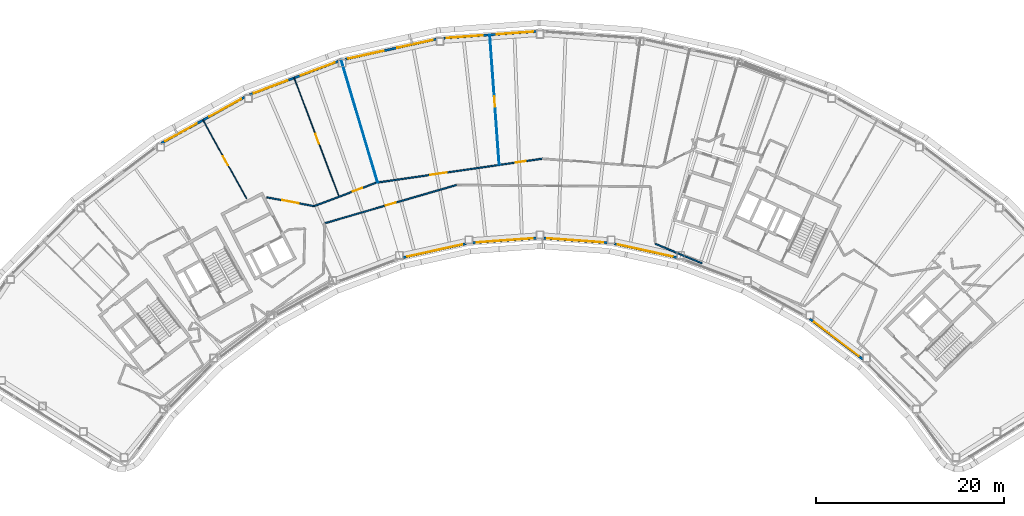
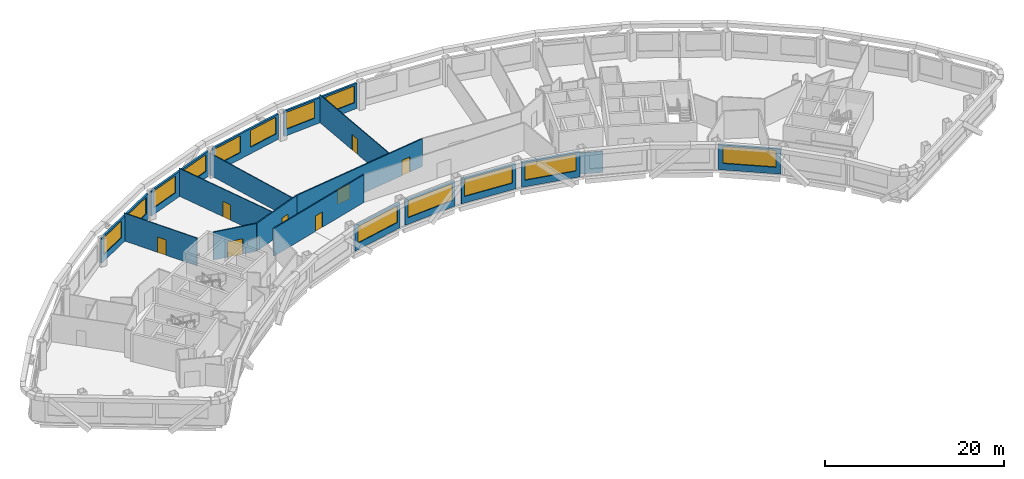
# One storey, part 7 of 18: 18 walls, 13 windows, 8 doors, 21 openings.
"""IFC4 building model written with IfcOpenShell, lengths in metres."""

from ifc_helpers import new_model, si_unit, direction, frame, frame_2d, origin, place, context, subcontext, project, spatial, rectangle, extrude, material, layer, layer_set, type_object, element, fill, save


model = new_model("IFC4")

# Units and contexts
model_context = context("Model", 3, precision=1e-05, world=origin(), true_north=direction((0.0, 1.0)))
body_context = subcontext(model_context, "Body", "Model", "MODEL_VIEW")
ifc_project = project(units=[si_unit("LENGTHUNIT", "METRE"), si_unit("AREAUNIT", "SQUARE_METRE"), si_unit("VOLUMEUNIT", "CUBIC_METRE"), si_unit("PLANEANGLEUNIT", "RADIAN"), si_unit("MASSUNIT", "GRAM", prefix="KILO")], contexts=[model_context])

# Site, building, storey
site_placement = place(None, origin())
site = spatial("IfcSite", under=ifc_project, at=site_placement, CompositionType="ELEMENT")
building_placement = place(site_placement, origin())
building = spatial("IfcBuilding", under=site, at=building_placement, Name="Tuul Gate Civic Tower", CompositionType="ELEMENT")
storey_placement = place(building_placement, frame((0.0, 0.0, 234.699951171875)))
storey = spatial("IfcBuildingStorey", under=building, at=storey_placement, Name="Level 53", CompositionType="ELEMENT", Elevation=234.699951171875)

# Wall, openings, doors
ifc_material_1 = material(Name="Gypsum board partition")
ifc_layer_1 = layer(ifc_material_1, 0.14990234375)
ifc_layer_set_1 = layer_set([ifc_layer_1], Name="Gypsum board partition")
wall_type_1 = type_object("IfcWallType", Name="Corridor wall P150", PredefinedType="PARTITIONING", material=ifc_layer_set_1)
wall_1_placement = place(storey_placement, frame((-11.525390625, 2.749267578125, 0.0), z_axis=(0.0, 0.0, 1.0), x_axis=(0.989707043148, 0.143108241356, 0.0)))
wall_1 = element("IfcWall", 1, at=wall_1_placement, inside=storey, type_object=wall_type_1, Name="p040", PredefinedType="PARTITIONING", context=body_context, shape_type="SweptSolid", body=[
    extrude(rectangle(XDim=17.909423828125, YDim=0.14990234375, at=frame_2d((8.95458984375, 0.0))), origin(), (0.0, 0.0, 1.0), 3.800048828125),
])
opening_1_placement = place(wall_1_placement, frame((5.81640625, 0.0, 0.0)))
opening_1 = element("IfcOpeningElement", 2, at=opening_1_placement, cuts=wall_1, Name="Opening S-D08", PredefinedType="OPENING", context=body_context, shape_type="SweptSolid", body=[
    extrude(rectangle(XDim=1.800048828125, YDim=2.10009765625, at=frame_2d((0.89990234375, 1.050048828125))), frame((0.0, 0.0849609375, 0.0), z_axis=(0.0, -1.0, 0.0), x_axis=(1.0, 0.0, 0.0)), (0.0, 0.0, 1.0), 0.169921875),
])
opening_2_placement = place(wall_1_placement, frame((15.033203125, 0.0, 0.0)))
opening_2 = element("IfcOpeningElement", 3, at=opening_2_placement, cuts=wall_1, Name="Opening S-D23", PredefinedType="OPENING", context=body_context, shape_type="SweptSolid", body=[
    extrude(rectangle(XDim=1.10009765625, YDim=2.10009765625, at=frame_2d((0.550048828125, 1.050048828125))), frame((0.0, 0.0849609375, 0.0), z_axis=(0.0, -1.0, 0.0), x_axis=(1.0, 0.0, 0.0)), (0.0, 0.0, 1.0), 0.169921875),
])
ifc_material_2 = material(Name="Timber door leaf", Category="wood")
door_type_1 = type_object("IfcDoorType", Name="Door D11", OperationType="NOTDEFINED", PredefinedType="DOOR", material=ifc_material_2)
door_1_placement = place(opening_2_placement, origin())
door_1 = element("IfcDoor", 4, at=door_1_placement, inside=storey, type_object=door_type_1, Name="Door S-D23", OperationType="SINGLE_SWING_RIGHT", OverallHeight=2.10009765625, OverallWidth=1.10009765625, PredefinedType="DOOR", context=body_context, shape_type="SweptSolid", body=[
    extrude(rectangle(XDim=1.10009765625, YDim=2.10009765625, at=frame_2d((0.550048828125, 1.050048828125))), frame((0.0, 0.02490234375, 0.0), z_axis=(0.0, -1.0, 0.0), x_axis=(1.0, 0.0, 0.0)), (0.0, 0.0, 1.0), 0.050048828125),
])
fill(opening_2, door_1)
ifc_material_3 = material(Name="Timber door leaf, double", Category="wood")
door_type_2 = type_object("IfcDoorType", Name="Door D18", OperationType="DOUBLE_DOOR_SINGLE_SWING", PredefinedType="DOOR", material=ifc_material_3)
door_2_placement = place(opening_1_placement, origin())
door_2 = element("IfcDoor", 5, at=door_2_placement, inside=storey, type_object=door_type_2, Name="Door S-D08", OperationType="DOUBLE_DOOR_SINGLE_SWING", OverallHeight=2.10009765625, OverallWidth=1.800048828125, PredefinedType="DOOR", context=body_context, shape_type="SweptSolid", body=[
    extrude(rectangle(XDim=1.800048828125, YDim=2.10009765625, at=frame_2d((0.89990234375, 1.050048828125))), frame((0.0, 0.02490234375, 0.0), z_axis=(0.0, -1.0, 0.0), x_axis=(1.0, 0.0, 0.0)), (0.0, 0.0, 1.0), 0.050048828125),
])
fill(opening_1, door_2)

# Wall, opening, door
wall_2_placement = place(storey_placement, frame((-18.113525390625, 0.258056640625, 0.0), z_axis=(0.0, 0.0, 1.0), x_axis=(0.935353854347, 0.353713396918, 0.0)))
wall_2 = element("IfcWall", 6, at=wall_2_placement, inside=storey, type_object=wall_type_1, Name="p043", PredefinedType="PARTITIONING", context=body_context, shape_type="SweptSolid", body=[
    extrude(rectangle(XDim=7.041748046875, YDim=0.14990234375, at=frame_2d((3.52099609375, 0.0))), origin(), (0.0, 0.0, 1.0), 3.800048828125),
])
opening_3_placement = place(wall_2_placement, frame((4.388671875, 0.0, 0.0)))
opening_3 = element("IfcOpeningElement", 7, at=opening_3_placement, cuts=wall_2, Name="Opening S-D09", PredefinedType="OPENING", context=body_context, shape_type="SweptSolid", body=[
    extrude(rectangle(XDim=1.10009765625, YDim=2.10009765625, at=frame_2d((0.550048828125, 1.050048828125))), frame((0.0, 0.0849609375, 0.0), z_axis=(0.0, -1.0, 0.0), x_axis=(1.0, 0.0, 0.0)), (0.0, 0.0, 1.0), 0.169921875),
])
door_3_placement = place(opening_3_placement, origin())
door_3 = element("IfcDoor", 8, at=door_3_placement, inside=storey, type_object=door_type_1, Name="Door S-D09", OperationType="SINGLE_SWING_RIGHT", OverallHeight=2.10009765625, OverallWidth=1.10009765625, PredefinedType="DOOR", context=body_context, shape_type="SweptSolid", body=[
    extrude(rectangle(XDim=1.10009765625, YDim=2.10009765625, at=frame_2d((0.550048828125, 1.050048828125))), frame((0.0, 0.02490234375, 0.0), z_axis=(0.0, -1.0, 0.0), x_axis=(1.0, 0.0, 0.0)), (0.0, 0.0, 1.0), 0.050048828125),
])
fill(opening_3, door_3)

wall_3_placement = place(storey_placement, frame((-23.155517578125, 1.194580078125, 0.0), z_axis=(0.0, 0.0, 1.0), x_axis=(0.983087364007, -0.183137201926, 0.0)))
wall_3 = element("IfcWall", 9, at=wall_3_placement, inside=storey, type_object=wall_type_1, Name="p045", PredefinedType="PARTITIONING", context=body_context, shape_type="SweptSolid", body=[
    extrude(rectangle(XDim=5.121826171875, YDim=0.14990234375, at=frame_2d((2.56103515625, 0.0))), origin(), (0.0, 0.0, 1.0), 3.800048828125),
])
opening_4_placement = place(wall_3_placement, frame((1.660888671875, 0.0, 0.0)))
opening_4 = element("IfcOpeningElement", 10, at=opening_4_placement, cuts=wall_3, Name="Opening S-D10", PredefinedType="OPENING", context=body_context, shape_type="SweptSolid", body=[
    extrude(rectangle(XDim=1.800048828125, YDim=2.10009765625, at=frame_2d((0.89990234375, 1.050048828125))), frame((0.0, 0.0849609375, 0.0), z_axis=(0.0, -1.0, 0.0), x_axis=(1.0, 0.0, 0.0)), (0.0, 0.0, 1.0), 0.169921875),
])
door_4_placement = place(opening_4_placement, origin())
door_4 = element("IfcDoor", 11, at=door_4_placement, inside=storey, type_object=door_type_2, Name="Door S-D10", OperationType="DOUBLE_DOOR_SINGLE_SWING", OverallHeight=2.10009765625, OverallWidth=1.800048828125, PredefinedType="DOOR", context=body_context, shape_type="SweptSolid", body=[
    extrude(rectangle(XDim=1.800048828125, YDim=2.10009765625, at=frame_2d((0.89990234375, 1.050048828125))), frame((0.0, 0.02490234375, 0.0), z_axis=(0.0, -1.0, 0.0), x_axis=(1.0, 0.0, 0.0)), (0.0, 0.0, 1.0), 0.050048828125),
])
fill(opening_4, door_4)

wall_4_placement = place(storey_placement, frame((-16.977294921875, -1.55859375, 0.0), z_axis=(0.0, 0.0, 1.0), x_axis=(0.960321509801, 0.278895316944, 0.0)))
wall_4 = element("IfcWall", 12, at=wall_4_placement, inside=storey, type_object=wall_type_1, Name="p069", PredefinedType="PARTITIONING", context=body_context, shape_type="SweptSolid", body=[
    extrude(rectangle(XDim=14.5908203125, YDim=0.14990234375, at=frame_2d((7.29541015625, 0.0))), origin(), (0.0, 0.0, 1.0), 3.800048828125),
])
opening_5_placement = place(wall_4_placement, frame((6.745361328125, 0.0, 0.0)))
opening_5 = element("IfcOpeningElement", 13, at=opening_5_placement, cuts=wall_4, Name="Opening S-D29", PredefinedType="OPENING", context=body_context, shape_type="SweptSolid", body=[
    extrude(rectangle(XDim=1.10009765625, YDim=2.10009765625, at=frame_2d((0.550048828125, 1.050048828125))), frame((0.0, 0.0849609375, 0.0), z_axis=(0.0, -1.0, 0.0), x_axis=(1.0, 0.0, 0.0)), (0.0, 0.0, 1.0), 0.169921875),
])
door_5_placement = place(opening_5_placement, frame((1.10009765625, 0.0, 0.0), z_axis=(0.0, 0.0, 1.0), x_axis=(-1.0, 0.0, 0.0)))
door_5 = element("IfcDoor", 14, at=door_5_placement, inside=storey, type_object=door_type_1, Name="Door S-D29", OperationType="SINGLE_SWING_LEFT", OverallHeight=2.10009765625, OverallWidth=1.10009765625, PredefinedType="DOOR", context=body_context, shape_type="SweptSolid", body=[
    extrude(rectangle(XDim=1.10009765625, YDim=2.10009765625, at=frame_2d((0.550048828125, 1.050048828125))), frame((0.0, 0.02490234375, 0.0), z_axis=(0.0, -1.0, 0.0), x_axis=(1.0, 0.0, 0.0)), (0.0, 0.0, 1.0), 0.050048828125),
])
fill(opening_5, door_5)

# Wall
ifc_material_4 = material(Name="Gypsum board partition")
ifc_layer_2 = layer(ifc_material_4, 0.14990234375)
ifc_layer_set_2 = layer_set([ifc_layer_2], Name="Gypsum board partition")
wall_type_2 = type_object("IfcWallType", Name="Corridor wall P150 2900 HIGH", PredefinedType="PARTITIONING", material=ifc_layer_set_2)
wall_5_placement = place(storey_placement, frame((18.22021484375, -3.760986328125, 0.0), z_axis=(0.0, 0.0, 1.0), x_axis=(0.923300574367, -0.38407818133, 0.0)))
element("IfcWall", 15, at=wall_5_placement, inside=storey, type_object=wall_type_2, Name="p062", PredefinedType="PARTITIONING", context=body_context, shape_type="SweptSolid", body=[
    extrude(rectangle(XDim=5.3896484375, YDim=0.14990234375, at=frame_2d((2.69482421875, 0.0))), origin(), (0.0, 0.0, 1.0), 2.900146484375),
])

# Wall, openings, windows
ifc_material_5 = material(Name="Precast concrete C40/50", Category="concrete")
ifc_layer_3 = layer(ifc_material_5, 0.25)
ifc_layer_set_3 = layer_set([ifc_layer_3], Name="Precast concrete C40/50")
wall_type_3 = type_object("IfcWallType", Name="External wall", PredefinedType="STANDARD", material=ifc_layer_set_3)
wall_6_placement = place(storey_placement, frame((5.5400390625, 18.862548828125, 0.0), z_axis=(0.0, 0.0, 1.0), x_axis=(-0.997382341931, -0.072308118528, 0.0)))
wall_6 = element("IfcWall", 16, at=wall_6_placement, inside=storey, type_object=wall_type_3, Name="External wall", PredefinedType="STANDARD", context=body_context, shape_type="SweptSolid", body=[
    extrude(rectangle(XDim=9.8759765625, YDim=0.25, at=frame_2d((4.93798828125, 0.0))), origin(), (0.0, 0.0, 1.0), 3.449951171875),
])
opening_6_placement = place(wall_6_placement, frame((0.3505859375, 0.0, 0.89990234375)))
opening_6 = element("IfcOpeningElement", 17, at=opening_6_placement, cuts=wall_6, Name="Opening W22", PredefinedType="OPENING", context=body_context, shape_type="SweptSolid", body=[
    extrude(rectangle(XDim=3.85009765625, YDim=2.300048828125, at=frame_2d((1.925048828125, 1.14990234375))), frame((0.0, 0.135009765625, 0.0), z_axis=(0.0, -1.0, 0.0), x_axis=(1.0, 0.0, 0.0)), (0.0, 0.0, 1.0), 0.27001953125),
])
opening_7_placement = place(wall_6_placement, frame((5.72216796875, 0.0, 0.89990234375)))
opening_7 = element("IfcOpeningElement", 18, at=opening_7_placement, cuts=wall_6, Name="Opening W22", PredefinedType="OPENING", context=body_context, shape_type="SweptSolid", body=[
    extrude(rectangle(XDim=3.85009765625, YDim=2.300048828125, at=frame_2d((1.925048828125, 1.14990234375))), frame((0.0, 0.135009765625, 0.0), z_axis=(0.0, -1.0, 0.0), x_axis=(1.0, 0.0, 0.0)), (0.0, 0.0, 1.0), 0.27001953125),
])
ifc_material_6 = material(Name="Glass", Category="glass")
window_type_1 = type_object("IfcWindowType", Name="Window W22 3850 x 2300", PartitioningType="SINGLE_PANEL", PredefinedType="WINDOW", material=ifc_material_6)
window_1_placement = place(opening_6_placement, origin())
window_1 = element("IfcWindow", 19, at=window_1_placement, inside=storey, type_object=window_type_1, Name="Window", OverallHeight=2.300048828125, OverallWidth=3.85009765625, PartitioningType="SINGLE_PANEL", PredefinedType="WINDOW", context=body_context, shape_type="SweptSolid", body=[
    extrude(rectangle(XDim=3.85009765625, YDim=2.300048828125, at=frame_2d((1.925048828125, 1.14990234375))), frame((0.0, 0.030029296875, 0.0), z_axis=(0.0, -1.0, 0.0), x_axis=(1.0, 0.0, 0.0)), (0.0, 0.0, 1.0), 0.06005859375),
])
fill(opening_6, window_1)
window_2_placement = place(opening_7_placement, origin())
window_2 = element("IfcWindow", 20, at=window_2_placement, inside=storey, type_object=window_type_1, Name="Window", OverallHeight=2.300048828125, OverallWidth=3.85009765625, PartitioningType="SINGLE_PANEL", PredefinedType="WINDOW", context=body_context, shape_type="SweptSolid", body=[
    extrude(rectangle(XDim=3.85009765625, YDim=2.300048828125, at=frame_2d((1.925048828125, 1.14990234375))), frame((0.0, 0.030029296875, 0.0), z_axis=(0.0, -1.0, 0.0), x_axis=(1.0, 0.0, 0.0)), (0.0, 0.0, 1.0), 0.06005859375),
])
fill(opening_7, window_2)

wall_7_placement = place(storey_placement, frame((-5.110107421875, 18.0380859375, 0.0), z_axis=(0.0, 0.0, 1.0), x_axis=(-0.976567609669, -0.215210835566, 0.0)))
wall_7 = element("IfcWall", 21, at=wall_7_placement, inside=storey, type_object=wall_type_3, Name="External wall", PredefinedType="STANDARD", context=body_context, shape_type="SweptSolid", body=[
    extrude(rectangle(XDim=9.953369140625, YDim=0.25, at=frame_2d((4.9765625, 0.0))), origin(), (0.0, 0.0, 1.0), 3.449951171875),
])
opening_8_placement = place(wall_7_placement, frame((0.39013671875, 0.0, 0.89990234375)))
opening_8 = element("IfcOpeningElement", 22, at=opening_8_placement, cuts=wall_7, Name="Opening W22", PredefinedType="OPENING", context=body_context, shape_type="SweptSolid", body=[
    extrude(rectangle(XDim=3.85009765625, YDim=2.300048828125, at=frame_2d((1.925048828125, 1.14990234375))), frame((0.0, 0.135009765625, 0.0), z_axis=(0.0, -1.0, 0.0), x_axis=(1.0, 0.0, 0.0)), (0.0, 0.0, 1.0), 0.27001953125),
])
opening_9_placement = place(wall_7_placement, frame((5.761474609375, 0.0, 0.89990234375)))
opening_9 = element("IfcOpeningElement", 23, at=opening_9_placement, cuts=wall_7, Name="Opening W22", PredefinedType="OPENING", context=body_context, shape_type="SweptSolid", body=[
    extrude(rectangle(XDim=3.85009765625, YDim=2.300048828125, at=frame_2d((1.925048828125, 1.14990234375))), frame((0.0, 0.135009765625, 0.0), z_axis=(0.0, -1.0, 0.0), x_axis=(1.0, 0.0, 0.0)), (0.0, 0.0, 1.0), 0.27001953125),
])
window_3_placement = place(opening_8_placement, origin())
window_3 = element("IfcWindow", 24, at=window_3_placement, inside=storey, type_object=window_type_1, Name="Window", OverallHeight=2.300048828125, OverallWidth=3.85009765625, PartitioningType="SINGLE_PANEL", PredefinedType="WINDOW", context=body_context, shape_type="SweptSolid", body=[
    extrude(rectangle(XDim=3.85009765625, YDim=2.300048828125, at=frame_2d((1.925048828125, 1.14990234375))), frame((0.0, 0.030029296875, 0.0), z_axis=(0.0, -1.0, 0.0), x_axis=(1.0, 0.0, 0.0)), (0.0, 0.0, 1.0), 0.06005859375),
])
fill(opening_8, window_3)
window_4_placement = place(opening_9_placement, origin())
window_4 = element("IfcWindow", 25, at=window_4_placement, inside=storey, type_object=window_type_1, Name="Window", OverallHeight=2.300048828125, OverallWidth=3.85009765625, PartitioningType="SINGLE_PANEL", PredefinedType="WINDOW", context=body_context, shape_type="SweptSolid", body=[
    extrude(rectangle(XDim=3.85009765625, YDim=2.300048828125, at=frame_2d((1.925048828125, 1.14990234375))), frame((0.0, 0.030029296875, 0.0), z_axis=(0.0, -1.0, 0.0), x_axis=(1.0, 0.0, 0.0)), (0.0, 0.0, 1.0), 0.06005859375),
])
fill(opening_9, window_4)

wall_8_placement = place(storey_placement, frame((-15.537109375, 15.69189453125, 0.0), z_axis=(0.0, 0.0, 1.0), x_axis=(-0.935373348384, -0.353661842912, 0.0)))
wall_8 = element("IfcWall", 26, at=wall_8_placement, inside=storey, type_object=wall_type_3, Name="External wall", PredefinedType="STANDARD", context=body_context, shape_type="SweptSolid", body=[
    extrude(rectangle(XDim=10.102783203125, YDim=0.25, at=frame_2d((5.05126953125, 0.0))), origin(), (0.0, 0.0, 1.0), 3.449951171875),
])
opening_10_placement = place(wall_8_placement, frame((0.423583984375, 0.0, 0.89990234375)))
opening_10 = element("IfcOpeningElement", 27, at=opening_10_placement, cuts=wall_8, Name="Opening W22", PredefinedType="OPENING", context=body_context, shape_type="SweptSolid", body=[
    extrude(rectangle(XDim=3.85009765625, YDim=2.300048828125, at=frame_2d((1.925048828125, 1.14990234375))), frame((0.0, 0.135009765625, 0.0), z_axis=(0.0, -1.0, 0.0), x_axis=(1.0, 0.0, 0.0)), (0.0, 0.0, 1.0), 0.27001953125),
])
opening_11_placement = place(wall_8_placement, frame((5.794677734375, 0.0, 0.89990234375)))
opening_11 = element("IfcOpeningElement", 28, at=opening_11_placement, cuts=wall_8, Name="Opening W22", PredefinedType="OPENING", context=body_context, shape_type="SweptSolid", body=[
    extrude(rectangle(XDim=3.85009765625, YDim=2.300048828125, at=frame_2d((1.925048828125, 1.14990234375))), frame((0.0, 0.135009765625, 0.0), z_axis=(0.0, -1.0, 0.0), x_axis=(1.0, 0.0, 0.0)), (0.0, 0.0, 1.0), 0.27001953125),
])
window_5_placement = place(opening_10_placement, origin())
window_5 = element("IfcWindow", 29, at=window_5_placement, inside=storey, type_object=window_type_1, Name="Window", OverallHeight=2.300048828125, OverallWidth=3.85009765625, PartitioningType="SINGLE_PANEL", PredefinedType="WINDOW", context=body_context, shape_type="SweptSolid", body=[
    extrude(rectangle(XDim=3.85009765625, YDim=2.300048828125, at=frame_2d((1.925048828125, 1.14990234375))), frame((0.0, 0.030029296875, 0.0), z_axis=(0.0, -1.0, 0.0), x_axis=(1.0, 0.0, 0.0)), (0.0, 0.0, 1.0), 0.06005859375),
])
fill(opening_10, window_5)
window_6_placement = place(opening_11_placement, origin())
window_6 = element("IfcWindow", 30, at=window_6_placement, inside=storey, type_object=window_type_1, Name="Window", OverallHeight=2.300048828125, OverallWidth=3.85009765625, PartitioningType="SINGLE_PANEL", PredefinedType="WINDOW", context=body_context, shape_type="SweptSolid", body=[
    extrude(rectangle(XDim=3.85009765625, YDim=2.300048828125, at=frame_2d((1.925048828125, 1.14990234375))), frame((0.0, 0.030029296875, 0.0), z_axis=(0.0, -1.0, 0.0), x_axis=(1.0, 0.0, 0.0)), (0.0, 0.0, 1.0), 0.06005859375),
])
fill(opening_11, window_6)

wall_9_placement = place(storey_placement, frame((-25.52392578125, 11.86962890625, 0.0), z_axis=(0.0, 0.0, 1.0), x_axis=(-0.87461473964, -0.484818581743, 0.0)))
wall_9 = element("IfcWall", 31, at=wall_9_placement, inside=storey, type_object=wall_type_3, Name="External wall", PredefinedType="STANDARD", context=body_context, shape_type="SweptSolid", body=[
    extrude(rectangle(XDim=10.16162109375, YDim=0.25, at=frame_2d((5.080810546875, 0.0))), origin(), (0.0, 0.0, 1.0), 3.449951171875),
])
opening_12_placement = place(wall_9_placement, frame((0.451171875, 0.0, 0.89990234375)))
opening_12 = element("IfcOpeningElement", 32, at=opening_12_placement, cuts=wall_9, Name="Opening W22", PredefinedType="OPENING", context=body_context, shape_type="SweptSolid", body=[
    extrude(rectangle(XDim=3.85009765625, YDim=2.300048828125, at=frame_2d((1.925048828125, 1.14990234375))), frame((0.0, 0.135009765625, 0.0), z_axis=(0.0, -1.0, 0.0), x_axis=(1.0, 0.0, 0.0)), (0.0, 0.0, 1.0), 0.27001953125),
])
opening_13_placement = place(wall_9_placement, frame((5.822021484375, 0.0, 0.89990234375)))
opening_13 = element("IfcOpeningElement", 33, at=opening_13_placement, cuts=wall_9, Name="Opening W22", PredefinedType="OPENING", context=body_context, shape_type="SweptSolid", body=[
    extrude(rectangle(XDim=3.85009765625, YDim=2.300048828125, at=frame_2d((1.925048828125, 1.14990234375))), frame((0.0, 0.135009765625, 0.0), z_axis=(0.0, -1.0, 0.0), x_axis=(1.0, 0.0, 0.0)), (0.0, 0.0, 1.0), 0.27001953125),
])
window_7_placement = place(opening_12_placement, origin())
window_7 = element("IfcWindow", 34, at=window_7_placement, inside=storey, type_object=window_type_1, Name="Window", OverallHeight=2.300048828125, OverallWidth=3.85009765625, PartitioningType="SINGLE_PANEL", PredefinedType="WINDOW", context=body_context, shape_type="SweptSolid", body=[
    extrude(rectangle(XDim=3.85009765625, YDim=2.300048828125, at=frame_2d((1.925048828125, 1.14990234375))), frame((0.0, 0.030029296875, 0.0), z_axis=(0.0, -1.0, 0.0), x_axis=(1.0, 0.0, 0.0)), (0.0, 0.0, 1.0), 0.06005859375),
])
fill(opening_12, window_7)
window_8_placement = place(opening_13_placement, origin())
window_8 = element("IfcWindow", 35, at=window_8_placement, inside=storey, type_object=window_type_1, Name="Window", OverallHeight=2.300048828125, OverallWidth=3.85009765625, PartitioningType="SINGLE_PANEL", PredefinedType="WINDOW", context=body_context, shape_type="SweptSolid", body=[
    extrude(rectangle(XDim=3.85009765625, YDim=2.300048828125, at=frame_2d((1.925048828125, 1.14990234375))), frame((0.0, 0.030029296875, 0.0), z_axis=(0.0, -1.0, 0.0), x_axis=(1.0, 0.0, 0.0)), (0.0, 0.0, 1.0), 0.06005859375),
])
fill(opening_13, window_8)

# Wall, opening, window
wall_10_placement = place(storey_placement, frame((-8.64599609375, -5.21728515625, 0.0), z_axis=(0.0, 0.0, 1.0), x_axis=(0.976561146318, 0.215240162382, 0.0)))
wall_10 = element("IfcWall", 36, at=wall_10_placement, inside=storey, type_object=wall_type_3, Name="External wall", PredefinedType="STANDARD", context=body_context, shape_type="SweptSolid", body=[
    extrude(rectangle(XDim=6.867919921875, YDim=0.25, at=frame_2d((3.43408203125, 0.0))), origin(), (0.0, 0.0, 1.0), 3.449951171875),
])
opening_14_placement = place(wall_10_placement, frame((0.458251953125, 0.0, 0.89990234375)))
opening_14 = element("IfcOpeningElement", 37, at=opening_14_placement, cuts=wall_10, Name="Opening W26", PredefinedType="OPENING", context=body_context, shape_type="SweptSolid", body=[
    extrude(rectangle(XDim=6.0, YDim=2.300048828125, at=frame_2d((3.0, 1.14990234375))), frame((0.0, 0.135009765625, 0.0), z_axis=(0.0, -1.0, 0.0), x_axis=(1.0, 0.0, 0.0)), (0.0, 0.0, 1.0), 0.27001953125),
])
ifc_material_7 = material(Name="Glass", Category="glass")
window_type_2 = type_object("IfcWindowType", Name="Window W26 6000 x 2300", PartitioningType="SINGLE_PANEL", PredefinedType="WINDOW", material=ifc_material_7)
window_9_placement = place(opening_14_placement, origin())
window_9 = element("IfcWindow", 38, at=window_9_placement, inside=storey, type_object=window_type_2, Name="Window", OverallHeight=2.300048828125, OverallWidth=6.0, PartitioningType="SINGLE_PANEL", PredefinedType="WINDOW", context=body_context, shape_type="SweptSolid", body=[
    extrude(rectangle(XDim=6.0, YDim=2.300048828125, at=frame_2d((3.0, 1.14990234375))), frame((0.0, 0.030029296875, 0.0), z_axis=(0.0, -1.0, 0.0), x_axis=(1.0, 0.0, 0.0)), (0.0, 0.0, 1.0), 0.06005859375),
])
fill(opening_14, window_9)

wall_11_placement = place(storey_placement, frame((-1.23193359375, -3.635498046875, 0.0), z_axis=(0.0, 0.0, 1.0), x_axis=(0.997392566253, 0.07216695077, 0.0)))
wall_11 = element("IfcWall", 39, at=wall_11_placement, inside=storey, type_object=wall_type_3, Name="External wall", PredefinedType="STANDARD", context=body_context, shape_type="SweptSolid", body=[
    extrude(rectangle(XDim=6.789794921875, YDim=0.25, at=frame_2d((3.39501953125, 0.0))), origin(), (0.0, 0.0, 1.0), 3.449951171875),
])
opening_15_placement = place(wall_11_placement, frame((0.41845703125, 0.0, 0.89990234375)))
opening_15 = element("IfcOpeningElement", 40, at=opening_15_placement, cuts=wall_11, Name="Opening W26", PredefinedType="OPENING", context=body_context, shape_type="SweptSolid", body=[
    extrude(rectangle(XDim=6.0, YDim=2.300048828125, at=frame_2d((3.0, 1.14990234375))), frame((0.0, 0.135009765625, 0.0), z_axis=(0.0, -1.0, 0.0), x_axis=(1.0, 0.0, 0.0)), (0.0, 0.0, 1.0), 0.27001953125),
])
window_10_placement = place(opening_15_placement, origin())
window_10 = element("IfcWindow", 41, at=window_10_placement, inside=storey, type_object=window_type_2, Name="Window", OverallHeight=2.300048828125, OverallWidth=6.0, PartitioningType="SINGLE_PANEL", PredefinedType="WINDOW", context=body_context, shape_type="SweptSolid", body=[
    extrude(rectangle(XDim=6.0, YDim=2.300048828125, at=frame_2d((3.0, 1.14990234375))), frame((0.0, 0.030029296875, 0.0), z_axis=(0.0, -1.0, 0.0), x_axis=(1.0, 0.0, 0.0)), (0.0, 0.0, 1.0), 0.06005859375),
])
fill(opening_15, window_10)

wall_12_placement = place(storey_placement, frame((6.340087890625, -3.1455078125, 0.0), z_axis=(0.0, 0.0, 1.0), x_axis=(0.997392566253, -0.07216695077, 0.0)))
wall_12 = element("IfcWall", 42, at=wall_12_placement, inside=storey, type_object=wall_type_3, Name="External wall", PredefinedType="STANDARD", context=body_context, shape_type="SweptSolid", body=[
    extrude(rectangle(XDim=6.789794921875, YDim=0.25, at=frame_2d((3.39501953125, 0.0))), origin(), (0.0, 0.0, 1.0), 3.449951171875),
])
opening_16_placement = place(wall_12_placement, frame((0.371337890625, 0.0, 0.89990234375)))
opening_16 = element("IfcOpeningElement", 43, at=opening_16_placement, cuts=wall_12, Name="Opening W26", PredefinedType="OPENING", context=body_context, shape_type="SweptSolid", body=[
    extrude(rectangle(XDim=6.0, YDim=2.300048828125, at=frame_2d((3.0, 1.14990234375))), frame((0.0, 0.135009765625, 0.0), z_axis=(0.0, -1.0, 0.0), x_axis=(1.0, 0.0, 0.0)), (0.0, 0.0, 1.0), 0.27001953125),
])
window_11_placement = place(opening_16_placement, origin())
window_11 = element("IfcWindow", 44, at=window_11_placement, inside=storey, type_object=window_type_2, Name="Window", OverallHeight=2.300048828125, OverallWidth=6.0, PartitioningType="SINGLE_PANEL", PredefinedType="WINDOW", context=body_context, shape_type="SweptSolid", body=[
    extrude(rectangle(XDim=6.0, YDim=2.300048828125, at=frame_2d((3.0, 1.14990234375))), frame((0.0, 0.030029296875, 0.0), z_axis=(0.0, -1.0, 0.0), x_axis=(1.0, 0.0, 0.0)), (0.0, 0.0, 1.0), 0.06005859375),
])
fill(opening_16, window_11)

wall_13_placement = place(storey_placement, frame((13.819091796875, -3.739013671875, 0.0), z_axis=(0.0, 0.0, 1.0), x_axis=(0.976560383805, -0.21524362193, 0.0)))
wall_13 = element("IfcWall", 45, at=wall_13_placement, inside=storey, type_object=wall_type_3, Name="External wall", PredefinedType="STANDARD", context=body_context, shape_type="SweptSolid", body=[
    extrude(rectangle(XDim=6.86669921875, YDim=0.25, at=frame_2d((3.433349609375, 0.0))), origin(), (0.0, 0.0, 1.0), 3.449951171875),
])
opening_17_placement = place(wall_13_placement, frame((0.409912109375, 0.0, 0.89990234375)))
opening_17 = element("IfcOpeningElement", 46, at=opening_17_placement, cuts=wall_13, Name="Opening W26", PredefinedType="OPENING", context=body_context, shape_type="SweptSolid", body=[
    extrude(rectangle(XDim=6.0, YDim=2.300048828125, at=frame_2d((3.0, 1.14990234375))), frame((0.0, 0.135009765625, 0.0), z_axis=(0.0, -1.0, 0.0), x_axis=(1.0, 0.0, 0.0)), (0.0, 0.0, 1.0), 0.27001953125),
])
window_12_placement = place(opening_17_placement, origin())
window_12 = element("IfcWindow", 47, at=window_12_placement, inside=storey, type_object=window_type_2, Name="Window", OverallHeight=2.300048828125, OverallWidth=6.0, PartitioningType="SINGLE_PANEL", PredefinedType="WINDOW", context=body_context, shape_type="SweptSolid", body=[
    extrude(rectangle(XDim=6.0, YDim=2.300048828125, at=frame_2d((3.0, 1.14990234375))), frame((0.0, 0.030029296875, 0.0), z_axis=(0.0, -1.0, 0.0), x_axis=(1.0, 0.0, 0.0)), (0.0, 0.0, 1.0), 0.06005859375),
])
fill(opening_17, window_12)

wall_14_placement = place(storey_placement, frame((34.656494140625, -11.739013671875, 0.0), z_axis=(0.0, 0.0, 1.0), x_axis=(0.795572181555, -0.605858815184, 0.0)))
wall_14 = element("IfcWall", 48, at=wall_14_placement, inside=storey, type_object=wall_type_3, Name="External wall", PredefinedType="STANDARD", context=body_context, shape_type="SweptSolid", body=[
    extrude(rectangle(XDim=7.10107421875, YDim=0.25, at=frame_2d((3.550537109375, 0.0))), origin(), (0.0, 0.0, 1.0), 3.449951171875),
])
opening_18_placement = place(wall_14_placement, frame((0.561279296875, 0.0, 0.89990234375)))
opening_18 = element("IfcOpeningElement", 49, at=opening_18_placement, cuts=wall_14, Name="Opening W26", PredefinedType="OPENING", context=body_context, shape_type="SweptSolid", body=[
    extrude(rectangle(XDim=6.0, YDim=2.300048828125, at=frame_2d((3.0, 1.14990234375))), frame((0.0, 0.135009765625, 0.0), z_axis=(0.0, -1.0, 0.0), x_axis=(1.0, 0.0, 0.0)), (0.0, 0.0, 1.0), 0.27001953125),
])
window_13_placement = place(opening_18_placement, origin())
window_13 = element("IfcWindow", 50, at=window_13_placement, inside=storey, type_object=window_type_2, Name="Window", OverallHeight=2.300048828125, OverallWidth=6.0, PartitioningType="SINGLE_PANEL", PredefinedType="WINDOW", context=body_context, shape_type="SweptSolid", body=[
    extrude(rectangle(XDim=6.0, YDim=2.300048828125, at=frame_2d((3.0, 1.14990234375))), frame((0.0, 0.030029296875, 0.0), z_axis=(0.0, -1.0, 0.0), x_axis=(1.0, 0.0, 0.0)), (0.0, 0.0, 1.0), 0.06005859375),
])
fill(opening_18, window_13)

# Wall, opening, door
ifc_material_8 = material(Name="Gypsum board partition")
ifc_layer_4 = layer(ifc_material_8, 0.10009765625)
ifc_layer_set_4 = layer_set([ifc_layer_4], Name="Gypsum board partition")
wall_type_4 = type_object("IfcWallType", Name="Partition P100", PredefinedType="PARTITIONING", material=ifc_layer_set_4)
wall_15_placement = place(storey_placement, frame((0.591064453125, 18.5087890625, 0.0), z_axis=(0.0, 0.0, 1.0), x_axis=(0.072248176097, -0.99738668582, 0.0)))
wall_15 = element("IfcWall", 51, at=wall_15_placement, inside=storey, type_object=wall_type_4, Name="p039", PredefinedType="PARTITIONING", context=body_context, shape_type="SweptSolid", body=[
    extrude(rectangle(XDim=13.898681640625, YDim=0.10009765625, at=frame_2d((6.94921875, 0.0))), origin(), (0.0, 0.0, 1.0), 3.800048828125),
])
opening_19_placement = place(wall_15_placement, frame((6.564453125, 0.0, 0.0)))
opening_19 = element("IfcOpeningElement", 52, at=opening_19_placement, cuts=wall_15, Name="Opening S-D24", PredefinedType="OPENING", context=body_context, shape_type="SweptSolid", body=[
    extrude(rectangle(XDim=1.10009765625, YDim=2.10009765625, at=frame_2d((0.550048828125, 1.050048828125))), frame((0.0, 0.06005859375, 0.0), z_axis=(0.0, -1.0, 0.0), x_axis=(1.0, 0.0, 0.0)), (0.0, 0.0, 1.0), 0.1201171875),
])
door_6_placement = place(opening_19_placement, origin())
door_6 = element("IfcDoor", 53, at=door_6_placement, inside=storey, type_object=door_type_1, Name="Door S-D24", OperationType="SINGLE_SWING_RIGHT", OverallHeight=2.10009765625, OverallWidth=1.10009765625, PredefinedType="DOOR", context=body_context, shape_type="SweptSolid", body=[
    extrude(rectangle(XDim=1.10009765625, YDim=2.10009765625, at=frame_2d((0.550048828125, 1.050048828125))), frame((0.0, 0.02490234375, 0.0), z_axis=(0.0, -1.0, 0.0), x_axis=(1.0, 0.0, 0.0)), (0.0, 0.0, 1.0), 0.050048828125),
])
fill(opening_19, door_6)

wall_16_placement = place(storey_placement, frame((-20.247314453125, 13.91650390625, 0.0), z_axis=(0.0, 0.0, 1.0), x_axis=(0.353718464429, -0.935351938001, 0.0)))
wall_16 = element("IfcWall", 54, at=wall_16_placement, inside=storey, type_object=wall_type_4, Name="p042", PredefinedType="PARTITIONING", context=body_context, shape_type="SweptSolid", body=[
    extrude(rectangle(XDim=13.5302734375, YDim=0.10009765625, at=frame_2d((6.76513671875, 0.0))), origin(), (0.0, 0.0, 1.0), 3.800048828125),
])
opening_20_placement = place(wall_16_placement, frame((6.380126953125, 0.0, 0.0)))
opening_20 = element("IfcOpeningElement", 55, at=opening_20_placement, cuts=wall_16, Name="Opening S-D25", PredefinedType="OPENING", context=body_context, shape_type="SweptSolid", body=[
    extrude(rectangle(XDim=1.10009765625, YDim=2.10009765625, at=frame_2d((0.550048828125, 1.050048828125))), frame((0.0, 0.06005859375, 0.0), z_axis=(0.0, -1.0, 0.0), x_axis=(1.0, 0.0, 0.0)), (0.0, 0.0, 1.0), 0.1201171875),
])
door_7_placement = place(opening_20_placement, origin())
door_7 = element("IfcDoor", 56, at=door_7_placement, inside=storey, type_object=door_type_1, Name="Door S-D25", OperationType="SINGLE_SWING_RIGHT", OverallHeight=2.10009765625, OverallWidth=1.10009765625, PredefinedType="DOOR", context=body_context, shape_type="SweptSolid", body=[
    extrude(rectangle(XDim=1.10009765625, YDim=2.10009765625, at=frame_2d((0.550048828125, 1.050048828125))), frame((0.0, 0.02490234375, 0.0), z_axis=(0.0, -1.0, 0.0), x_axis=(1.0, 0.0, 0.0)), (0.0, 0.0, 1.0), 0.050048828125),
])
fill(opening_20, door_7)

wall_17_placement = place(storey_placement, frame((-29.95361328125, 9.419921875, 0.0), z_axis=(0.0, 0.0, 1.0), x_axis=(0.484818571008, -0.874614745591, 0.0)))
wall_17 = element("IfcWall", 57, at=wall_17_placement, inside=storey, type_object=wall_type_4, Name="p044", PredefinedType="PARTITIONING", context=body_context, shape_type="SweptSolid", body=[
    extrude(rectangle(XDim=9.557861328125, YDim=0.10009765625, at=frame_2d((4.77880859375, 0.0))), origin(), (0.0, 0.0, 1.0), 3.800048828125),
])
opening_21_placement = place(wall_17_placement, frame((4.393798828125, 0.0, 0.0)))
opening_21 = element("IfcOpeningElement", 58, at=opening_21_placement, cuts=wall_17, Name="Opening S-D26", PredefinedType="OPENING", context=body_context, shape_type="SweptSolid", body=[
    extrude(rectangle(XDim=1.10009765625, YDim=2.10009765625, at=frame_2d((0.550048828125, 1.050048828125))), frame((0.0, 0.06005859375, 0.0), z_axis=(0.0, -1.0, 0.0), x_axis=(1.0, 0.0, 0.0)), (0.0, 0.0, 1.0), 0.1201171875),
])
door_8_placement = place(opening_21_placement, origin())
door_8 = element("IfcDoor", 59, at=door_8_placement, inside=storey, type_object=door_type_1, Name="Door S-D26", OperationType="SINGLE_SWING_RIGHT", OverallHeight=2.10009765625, OverallWidth=1.10009765625, PredefinedType="DOOR", context=body_context, shape_type="SweptSolid", body=[
    extrude(rectangle(XDim=1.10009765625, YDim=2.10009765625, at=frame_2d((0.550048828125, 1.050048828125))), frame((0.0, 0.02490234375, 0.0), z_axis=(0.0, -1.0, 0.0), x_axis=(1.0, 0.0, 0.0)), (0.0, 0.0, 1.0), 0.050048828125),
])
fill(opening_21, door_8)

# Wall
ifc_material_9 = material(Name="Gypsum board partition")
ifc_layer_5 = layer(ifc_material_9, 0.10009765625)
ifc_layer_set_5 = layer_set([ifc_layer_5], Name="Gypsum board partition")
wall_type_5 = type_object("IfcWallType", Name="Partition P100 3000 HIGH", PredefinedType="PARTITIONING", material=ifc_layer_set_5)
wall_18_placement = place(storey_placement, frame((-15.231201171875, 15.812744140625, 0.0), z_axis=(0.0, 0.0, 1.0), x_axis=(0.285214929237, -0.958463585193, 0.0)))
element("IfcWall", 60, at=wall_18_placement, inside=storey, type_object=wall_type_5, Name="p041", PredefinedType="PARTITIONING", context=body_context, shape_type="SweptSolid", body=[
    extrude(rectangle(XDim=13.603271484375, YDim=0.10009765625, at=frame_2d((6.8017578125, 0.0))), origin(), (0.0, 0.0, 1.0), 3.0),
])

save(model, "model.ifc")
